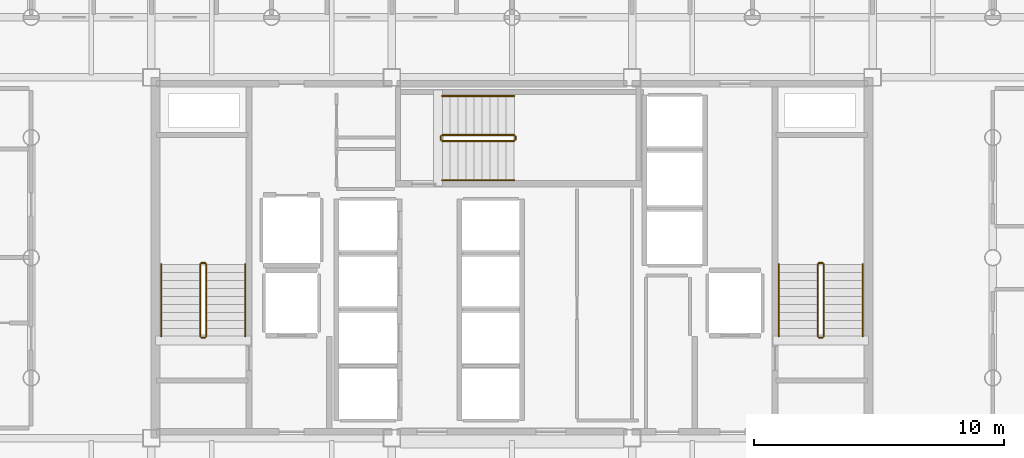
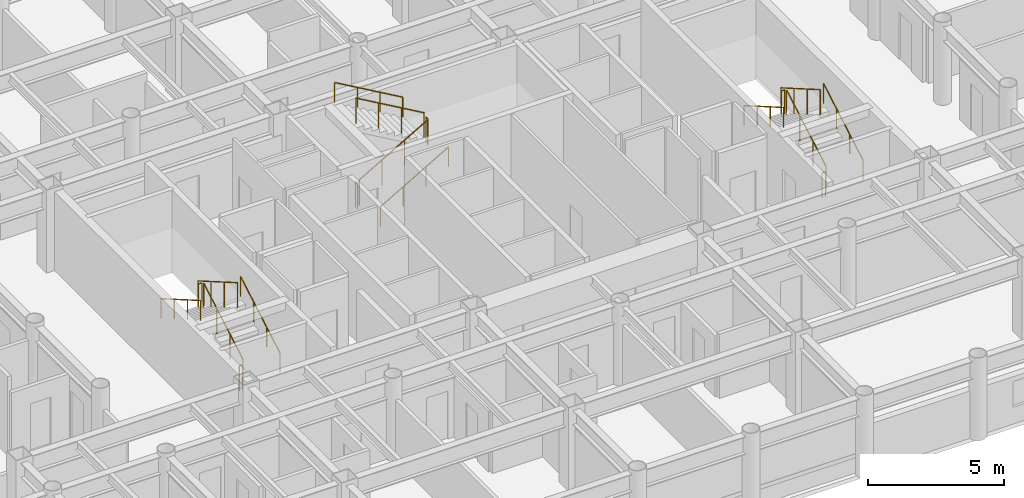
# One storey, part 22 of 22: 18 railings.
"""IFC4 building model written with IfcOpenShell, lengths in metres."""

from ifc_helpers import new_model, si_unit, direction, frame, origin, origin_2d, place, context, subcontext, project, spatial, circle, extrude, material, layer, layer_set, type_object, element, save


model = new_model("IFC4")

# Units and contexts
model_context = context("Model", 3, precision=1e-05, world=origin(), true_north=direction((0.0, 1.0)))
body_context = subcontext(model_context, "Body", "Model", "MODEL_VIEW")
ifc_project = project(units=[si_unit("LENGTHUNIT", "METRE"), si_unit("AREAUNIT", "SQUARE_METRE"), si_unit("VOLUMEUNIT", "CUBIC_METRE"), si_unit("PLANEANGLEUNIT", "RADIAN"), si_unit("MASSUNIT", "GRAM", prefix="KILO")], contexts=[model_context])

# Site, building, storey
site_placement = place(None, origin())
site = spatial("IfcSite", under=ifc_project, at=site_placement, CompositionType="ELEMENT")
building_placement = place(site_placement, origin())
building = spatial("IfcBuilding", under=site, at=building_placement, Name="Kallvorn Hotel Tower", CompositionType="ELEMENT")
storey_placement = place(building_placement, frame((0.0, 0.0, 113.699951171875)))
storey = spatial("IfcBuildingStorey", under=building, at=storey_placement, Name="L27", CompositionType="ELEMENT", Elevation=113.699951171875)

# Railings
ifc_material_1 = material(Name="Brushed stainless-steel tubular railing", Category="steel")
ifc_layer_1 = layer(ifc_material_1, 0.050048828125)
ifc_layer_set_1 = layer_set([ifc_layer_1], Name="RL_STAIR_GUARD")
railing_type_1 = type_object("IfcRailingType", Name="RL_STAIR_GUARD", PredefinedType="GUARDRAIL", material=ifc_layer_set_1)
railing_1_placement = place(storey_placement, frame((-12.2099609375, -3.139892578125, 0.18505859375)))
element("IfcRailing", 1, at=railing_1_placement, inside=storey, type_object=railing_type_1, Name="L27 ST1 stair guard 1", PredefinedType="GUARDRAIL", context=body_context, shape_type="SweptSolid", body=[
    extrude(circle(Radius=0.02392578125, at=origin_2d()), frame((0.0, 0.0, 1.1259765625), z_axis=(0.0, 0.865720918037, 0.500527014328), x_axis=(-1.0, 0.0, 0.0)), (0.0, 0.0, 1.0), 3.32666015625),
    extrude(circle(Radius=0.02099609375, at=origin_2d()), origin(), (0.0, 0.0, 1.0), 1.101806640625),
    extrude(circle(Radius=0.02099609375, at=origin_2d()), frame((0.0, 0.9599609375, 0.554931640625)), (0.0, 0.0, 1.0), 1.101806640625),
    extrude(circle(Radius=0.02099609375, at=origin_2d()), frame((0.0, 1.919921875, 1.110107421875)), (0.0, 0.0, 1.0), 1.101806640625),
    extrude(circle(Radius=0.02099609375, at=origin_2d()), frame((0.0, 2.8798828125, 1.6650390625)), (0.0, 0.0, 1.0), 1.101806640625),
])
railing_2_placement = place(storey_placement, frame((-12.260009765625, -0.2099609375, 1.85009765625)))
element("IfcRailing", 2, at=railing_2_placement, inside=storey, type_object=railing_type_1, Name="L27 ST1 stair guard 2", PredefinedType="GUARDRAIL", context=body_context, shape_type="SweptSolid", body=[
    extrude(circle(Radius=0.02392578125, at=origin_2d()), frame((0.0, 0.0, 1.1259765625), z_axis=(-1.0, 0.0, 0.0), x_axis=(0.0, -1.0, 0.0)), (0.0, 0.0, 1.0), 0.139892578125),
    extrude(circle(Radius=0.02099609375, at=origin_2d()), origin(), (0.0, 0.0, 1.0), 1.101806640625),
    extrude(circle(Radius=0.02099609375, at=origin_2d()), frame((-0.139892578125, 0.0, 0.0)), (0.0, 0.0, 1.0), 1.101806640625),
])
railing_3_placement = place(storey_placement, frame((-12.449951171875, -0.260009765625, 2.03515625)))
element("IfcRailing", 3, at=railing_3_placement, inside=storey, type_object=railing_type_1, Name="L27 ST1 stair guard 3", PredefinedType="GUARDRAIL", context=body_context, shape_type="SweptSolid", body=[
    extrude(circle(Radius=0.02392578125, at=origin_2d()), frame((0.0, 0.0, 1.1259765625), z_axis=(0.0, -0.86575271903, 0.500472006703), x_axis=(1.0, 0.0, 0.0)), (0.0, 0.0, 1.0), 3.326416015625),
    extrude(circle(Radius=0.02099609375, at=origin_2d()), origin(), (0.0, 0.0, 1.0), 1.101806640625),
    extrude(circle(Radius=0.02099609375, at=origin_2d()), frame((0.0, -0.9599609375, 0.554931640625)), (0.0, 0.0, 1.0), 1.101806640625),
    extrude(circle(Radius=0.02099609375, at=origin_2d()), frame((0.0, -1.919921875, 1.10986328125)), (0.0, 0.0, 1.0), 1.101806640625),
    extrude(circle(Radius=0.02099609375, at=origin_2d()), frame((0.0, -2.8798828125, 1.664794921875)), (0.0, 0.0, 1.0), 1.101806640625),
])
railing_4_placement = place(storey_placement, frame((-12.260009765625, -3.18994140625, 0.0)))
element("IfcRailing", 4, at=railing_4_placement, inside=storey, type_object=railing_type_1, Name="L27 ST1 stair guard 4", PredefinedType="GUARDRAIL", context=body_context, shape_type="SweptSolid", body=[
    extrude(circle(Radius=0.02392578125, at=origin_2d()), frame((0.0, 0.0, 1.1259765625), z_axis=(-1.0, 0.0, 0.0), x_axis=(0.0, -1.0, 0.0)), (0.0, 0.0, 1.0), 0.139892578125),
    extrude(circle(Radius=0.02099609375, at=origin_2d()), origin(), (0.0, 0.0, 1.0), 1.101806640625),
    extrude(circle(Radius=0.02099609375, at=origin_2d()), frame((-0.139892578125, 0.0, 0.0)), (0.0, 0.0, 1.0), 1.101806640625),
])
railing_5_placement = place(storey_placement, frame((12.449951171875, -3.139892578125, 0.18505859375)))
element("IfcRailing", 5, at=railing_5_placement, inside=storey, type_object=railing_type_1, Name="L27 ST2 stair guard 1", PredefinedType="GUARDRAIL", context=body_context, shape_type="SweptSolid", body=[
    extrude(circle(Radius=0.02392578125, at=origin_2d()), frame((0.0, 0.0, 1.1259765625), z_axis=(0.0, 0.865720918037, 0.500527014328), x_axis=(-1.0, 0.0, 0.0)), (0.0, 0.0, 1.0), 3.32666015625),
    extrude(circle(Radius=0.02099609375, at=origin_2d()), origin(), (0.0, 0.0, 1.0), 1.101806640625),
    extrude(circle(Radius=0.02099609375, at=origin_2d()), frame((0.0, 0.9599609375, 0.554931640625)), (0.0, 0.0, 1.0), 1.101806640625),
    extrude(circle(Radius=0.02099609375, at=origin_2d()), frame((0.0, 1.919921875, 1.110107421875)), (0.0, 0.0, 1.0), 1.101806640625),
    extrude(circle(Radius=0.02099609375, at=origin_2d()), frame((0.0, 2.8798828125, 1.6650390625)), (0.0, 0.0, 1.0), 1.101806640625),
])
railing_6_placement = place(storey_placement, frame((12.39990234375, -0.2099609375, 1.85009765625)))
element("IfcRailing", 6, at=railing_6_placement, inside=storey, type_object=railing_type_1, Name="L27 ST2 stair guard 2", PredefinedType="GUARDRAIL", context=body_context, shape_type="SweptSolid", body=[
    extrude(circle(Radius=0.02392578125, at=origin_2d()), frame((0.0, 0.0, 1.1259765625), z_axis=(-1.0, 0.0, 0.0), x_axis=(0.0, -1.0, 0.0)), (0.0, 0.0, 1.0), 0.139892578125),
    extrude(circle(Radius=0.02099609375, at=origin_2d()), origin(), (0.0, 0.0, 1.0), 1.101806640625),
    extrude(circle(Radius=0.02099609375, at=origin_2d()), frame((-0.139892578125, 0.0, 0.0)), (0.0, 0.0, 1.0), 1.101806640625),
])
railing_7_placement = place(storey_placement, frame((12.2099609375, -0.260009765625, 2.03515625)))
element("IfcRailing", 7, at=railing_7_placement, inside=storey, type_object=railing_type_1, Name="L27 ST2 stair guard 3", PredefinedType="GUARDRAIL", context=body_context, shape_type="SweptSolid", body=[
    extrude(circle(Radius=0.02392578125, at=origin_2d()), frame((0.0, 0.0, 1.1259765625), z_axis=(0.0, -0.86575271903, 0.500472006703), x_axis=(1.0, 0.0, 0.0)), (0.0, 0.0, 1.0), 3.326416015625),
    extrude(circle(Radius=0.02099609375, at=origin_2d()), origin(), (0.0, 0.0, 1.0), 1.101806640625),
    extrude(circle(Radius=0.02099609375, at=origin_2d()), frame((0.0, -0.9599609375, 0.554931640625)), (0.0, 0.0, 1.0), 1.101806640625),
    extrude(circle(Radius=0.02099609375, at=origin_2d()), frame((0.0, -1.919921875, 1.10986328125)), (0.0, 0.0, 1.0), 1.101806640625),
    extrude(circle(Radius=0.02099609375, at=origin_2d()), frame((0.0, -2.8798828125, 1.664794921875)), (0.0, 0.0, 1.0), 1.101806640625),
])
railing_8_placement = place(storey_placement, frame((12.39990234375, -3.18994140625, 0.0)))
element("IfcRailing", 8, at=railing_8_placement, inside=storey, type_object=railing_type_1, Name="L27 ST2 stair guard 4", PredefinedType="GUARDRAIL", context=body_context, shape_type="SweptSolid", body=[
    extrude(circle(Radius=0.02392578125, at=origin_2d()), frame((0.0, 0.0, 1.1259765625), z_axis=(-1.0, 0.0, 0.0), x_axis=(0.0, -1.0, 0.0)), (0.0, 0.0, 1.0), 0.139892578125),
    extrude(circle(Radius=0.02099609375, at=origin_2d()), origin(), (0.0, 0.0, 1.0), 1.101806640625),
    extrude(circle(Radius=0.02099609375, at=origin_2d()), frame((-0.139892578125, 0.0, 0.0)), (0.0, 0.0, 1.0), 1.101806640625),
])
railing_9_placement = place(storey_placement, frame((-2.7900390625, 4.659912109375, 0.18505859375)))
element("IfcRailing", 9, at=railing_9_placement, inside=storey, type_object=railing_type_1, Name="L27 ST3 stair guard 1", PredefinedType="GUARDRAIL", context=body_context, shape_type="SweptSolid", body=[
    extrude(circle(Radius=0.02392578125, at=origin_2d()), frame((0.0, 0.0, 1.1259765625), z_axis=(0.865739302748, 0.0, 0.50049521444), x_axis=(0.0, 1.0, 0.0)), (0.0, 0.0, 1.0), 3.326904296875),
    extrude(circle(Radius=0.02099609375, at=origin_2d()), origin(), (0.0, 0.0, 1.0), 1.101806640625),
    extrude(circle(Radius=0.02099609375, at=origin_2d()), frame((0.9599609375, 0.0, 0.554931640625)), (0.0, 0.0, 1.0), 1.101806640625),
    extrude(circle(Radius=0.02099609375, at=origin_2d()), frame((1.920166015625, 0.0, 1.110107421875)), (0.0, 0.0, 1.0), 1.101806640625),
    extrude(circle(Radius=0.02099609375, at=origin_2d()), frame((2.880126953125, 0.0, 1.6650390625)), (0.0, 0.0, 1.0), 1.101806640625),
])
railing_10_placement = place(storey_placement, frame((0.139892578125, 4.7099609375, 1.85009765625)))
element("IfcRailing", 10, at=railing_10_placement, inside=storey, type_object=railing_type_1, Name="L27 ST3 stair guard 2", PredefinedType="GUARDRAIL", context=body_context, shape_type="SweptSolid", body=[
    extrude(circle(Radius=0.02392578125, at=origin_2d()), frame((0.0, 0.0, 1.1259765625), z_axis=(0.0, 1.0, 0.0), x_axis=(-1.0, 0.0, 0.0)), (0.0, 0.0, 1.0), 0.14013671875),
    extrude(circle(Radius=0.02099609375, at=origin_2d()), origin(), (0.0, 0.0, 1.0), 1.101806640625),
    extrude(circle(Radius=0.02099609375, at=origin_2d()), frame((0.0, 0.14013671875, 0.0)), (0.0, 0.0, 1.0), 1.101806640625),
])
railing_11_placement = place(storey_placement, frame((0.090087890625, 4.89990234375, 2.03515625)))
element("IfcRailing", 11, at=railing_11_placement, inside=storey, type_object=railing_type_1, Name="L27 ST3 stair guard 3", PredefinedType="GUARDRAIL", context=body_context, shape_type="SweptSolid", body=[
    extrude(circle(Radius=0.02392578125, at=origin_2d()), frame((0.0, 0.0, 1.1259765625), z_axis=(-0.865771100375, 0.0, 0.500440207973), x_axis=(0.0, -1.0, 0.0)), (0.0, 0.0, 1.0), 3.32666015625),
    extrude(circle(Radius=0.02099609375, at=origin_2d()), origin(), (0.0, 0.0, 1.0), 1.101806640625),
    extrude(circle(Radius=0.02099609375, at=origin_2d()), frame((-0.9599609375, 0.0, 0.554931640625)), (0.0, 0.0, 1.0), 1.101806640625),
    extrude(circle(Radius=0.02099609375, at=origin_2d()), frame((-1.920166015625, 0.0, 1.10986328125)), (0.0, 0.0, 1.0), 1.101806640625),
    extrude(circle(Radius=0.02099609375, at=origin_2d()), frame((-2.880126953125, 0.0, 1.664794921875)), (0.0, 0.0, 1.0), 1.101806640625),
])
railing_12_placement = place(storey_placement, frame((-2.840087890625, 4.7099609375, 0.0)))
element("IfcRailing", 12, at=railing_12_placement, inside=storey, type_object=railing_type_1, Name="L27 ST3 stair guard 4", PredefinedType="GUARDRAIL", context=body_context, shape_type="SweptSolid", body=[
    extrude(circle(Radius=0.02392578125, at=origin_2d()), frame((0.0, 0.0, 1.1259765625), z_axis=(0.0, 1.0, 0.0), x_axis=(-1.0, 0.0, 0.0)), (0.0, 0.0, 1.0), 0.14013671875),
    extrude(circle(Radius=0.02099609375, at=origin_2d()), origin(), (0.0, 0.0, 1.0), 1.101806640625),
    extrude(circle(Radius=0.02099609375, at=origin_2d()), frame((0.0, 0.14013671875, 0.0)), (0.0, 0.0, 1.0), 1.101806640625),
])
ifc_material_2 = material(Name="Brushed stainless-steel tubular railing", Category="steel")
ifc_layer_2 = layer(ifc_material_2, 0.050048828125)
ifc_layer_set_2 = layer_set([ifc_layer_2], Name="RL_STAIR_HAND")
railing_type_2 = type_object("IfcRailingType", Name="RL_STAIR_HAND", PredefinedType="HANDRAIL", material=ifc_layer_set_2)
railing_13_placement = place(storey_placement, frame((-10.64990234375, -3.139892578125, 0.18505859375)))
element("IfcRailing", 13, at=railing_13_placement, inside=storey, type_object=railing_type_2, Name="L27 ST1 stair handrail 1", PredefinedType="HANDRAIL", context=body_context, shape_type="SweptSolid", body=[
    extrude(circle(Radius=0.02392578125, at=origin_2d()), frame((0.0, 0.0, 0.8759765625), z_axis=(0.0, 0.865720918037, 0.500527014328), x_axis=(-1.0, 0.0, 0.0)), (0.0, 0.0, 1.0), 3.32666015625),
    extrude(circle(Radius=0.02099609375, at=origin_2d()), origin(), (0.0, 0.0, 1.0), 0.851806640625),
    extrude(circle(Radius=0.02099609375, at=origin_2d()), frame((0.0, 0.9599609375, 0.554931640625)), (0.0, 0.0, 1.0), 0.851806640625),
    extrude(circle(Radius=0.02099609375, at=origin_2d()), frame((0.0, 1.919921875, 1.110107421875)), (0.0, 0.0, 1.0), 0.851806640625),
    extrude(circle(Radius=0.02099609375, at=origin_2d()), frame((0.0, 2.8798828125, 1.6650390625)), (0.0, 0.0, 1.0), 0.851806640625),
])
railing_14_placement = place(storey_placement, frame((-14.010009765625, -0.260009765625, 2.03515625)))
element("IfcRailing", 14, at=railing_14_placement, inside=storey, type_object=railing_type_2, Name="L27 ST1 stair handrail 2", PredefinedType="HANDRAIL", context=body_context, shape_type="SweptSolid", body=[
    extrude(circle(Radius=0.02392578125, at=origin_2d()), frame((0.0, 0.0, 0.8759765625), z_axis=(0.0, -0.86575271903, 0.500472006703), x_axis=(1.0, 0.0, 0.0)), (0.0, 0.0, 1.0), 3.326416015625),
    extrude(circle(Radius=0.02099609375, at=origin_2d()), origin(), (0.0, 0.0, 1.0), 0.851806640625),
    extrude(circle(Radius=0.02099609375, at=origin_2d()), frame((0.0, -0.9599609375, 0.554931640625)), (0.0, 0.0, 1.0), 0.851806640625),
    extrude(circle(Radius=0.02099609375, at=origin_2d()), frame((0.0, -1.919921875, 1.10986328125)), (0.0, 0.0, 1.0), 0.851806640625),
    extrude(circle(Radius=0.02099609375, at=origin_2d()), frame((0.0, -2.8798828125, 1.664794921875)), (0.0, 0.0, 1.0), 0.851806640625),
])
railing_15_placement = place(storey_placement, frame((14.010009765625, -3.139892578125, 0.18505859375)))
element("IfcRailing", 15, at=railing_15_placement, inside=storey, type_object=railing_type_2, Name="L27 ST2 stair handrail 1", PredefinedType="HANDRAIL", context=body_context, shape_type="SweptSolid", body=[
    extrude(circle(Radius=0.02392578125, at=origin_2d()), frame((0.0, 0.0, 0.8759765625), z_axis=(0.0, 0.865720918037, 0.500527014328), x_axis=(-1.0, 0.0, 0.0)), (0.0, 0.0, 1.0), 3.32666015625),
    extrude(circle(Radius=0.02099609375, at=origin_2d()), origin(), (0.0, 0.0, 1.0), 0.851806640625),
    extrude(circle(Radius=0.02099609375, at=origin_2d()), frame((0.0, 0.9599609375, 0.554931640625)), (0.0, 0.0, 1.0), 0.851806640625),
    extrude(circle(Radius=0.02099609375, at=origin_2d()), frame((0.0, 1.919921875, 1.110107421875)), (0.0, 0.0, 1.0), 0.851806640625),
    extrude(circle(Radius=0.02099609375, at=origin_2d()), frame((0.0, 2.8798828125, 1.6650390625)), (0.0, 0.0, 1.0), 0.851806640625),
])
railing_16_placement = place(storey_placement, frame((10.64990234375, -0.260009765625, 2.03515625)))
element("IfcRailing", 16, at=railing_16_placement, inside=storey, type_object=railing_type_2, Name="L27 ST2 stair handrail 2", PredefinedType="HANDRAIL", context=body_context, shape_type="SweptSolid", body=[
    extrude(circle(Radius=0.02392578125, at=origin_2d()), frame((0.0, 0.0, 0.8759765625), z_axis=(0.0, -0.86575271903, 0.500472006703), x_axis=(1.0, 0.0, 0.0)), (0.0, 0.0, 1.0), 3.326416015625),
    extrude(circle(Radius=0.02099609375, at=origin_2d()), origin(), (0.0, 0.0, 1.0), 0.851806640625),
    extrude(circle(Radius=0.02099609375, at=origin_2d()), frame((0.0, -0.9599609375, 0.554931640625)), (0.0, 0.0, 1.0), 0.851806640625),
    extrude(circle(Radius=0.02099609375, at=origin_2d()), frame((0.0, -1.919921875, 1.10986328125)), (0.0, 0.0, 1.0), 0.851806640625),
    extrude(circle(Radius=0.02099609375, at=origin_2d()), frame((0.0, -2.8798828125, 1.664794921875)), (0.0, 0.0, 1.0), 0.851806640625),
])
railing_17_placement = place(storey_placement, frame((-2.7900390625, 3.10009765625, 0.18505859375)))
element("IfcRailing", 17, at=railing_17_placement, inside=storey, type_object=railing_type_2, Name="L27 ST3 stair handrail 1", PredefinedType="HANDRAIL", context=body_context, shape_type="SweptSolid", body=[
    extrude(circle(Radius=0.02392578125, at=origin_2d()), frame((0.0, 0.0, 0.8759765625), z_axis=(0.865739302748, 0.0, 0.50049521444), x_axis=(0.0, 1.0, 0.0)), (0.0, 0.0, 1.0), 3.326904296875),
    extrude(circle(Radius=0.02099609375, at=origin_2d()), origin(), (0.0, 0.0, 1.0), 0.851806640625),
    extrude(circle(Radius=0.02099609375, at=origin_2d()), frame((0.9599609375, 0.0, 0.554931640625)), (0.0, 0.0, 1.0), 0.851806640625),
    extrude(circle(Radius=0.02099609375, at=origin_2d()), frame((1.920166015625, 0.0, 1.110107421875)), (0.0, 0.0, 1.0), 0.851806640625),
    extrude(circle(Radius=0.02099609375, at=origin_2d()), frame((2.880126953125, 0.0, 1.6650390625)), (0.0, 0.0, 1.0), 0.851806640625),
])
railing_18_placement = place(storey_placement, frame((0.090087890625, 6.4599609375, 2.03515625)))
element("IfcRailing", 18, at=railing_18_placement, inside=storey, type_object=railing_type_2, Name="L27 ST3 stair handrail 2", PredefinedType="HANDRAIL", context=body_context, shape_type="SweptSolid", body=[
    extrude(circle(Radius=0.02392578125, at=origin_2d()), frame((0.0, 0.0, 0.8759765625), z_axis=(-0.865771100375, 0.0, 0.500440207973), x_axis=(0.0, -1.0, 0.0)), (0.0, 0.0, 1.0), 3.32666015625),
    extrude(circle(Radius=0.02099609375, at=origin_2d()), origin(), (0.0, 0.0, 1.0), 0.851806640625),
    extrude(circle(Radius=0.02099609375, at=origin_2d()), frame((-0.9599609375, 0.0, 0.554931640625)), (0.0, 0.0, 1.0), 0.851806640625),
    extrude(circle(Radius=0.02099609375, at=origin_2d()), frame((-1.920166015625, 0.0, 1.10986328125)), (0.0, 0.0, 1.0), 0.851806640625),
    extrude(circle(Radius=0.02099609375, at=origin_2d()), frame((-2.880126953125, 0.0, 1.664794921875)), (0.0, 0.0, 1.0), 0.851806640625),
])

save(model, "model.ifc")
